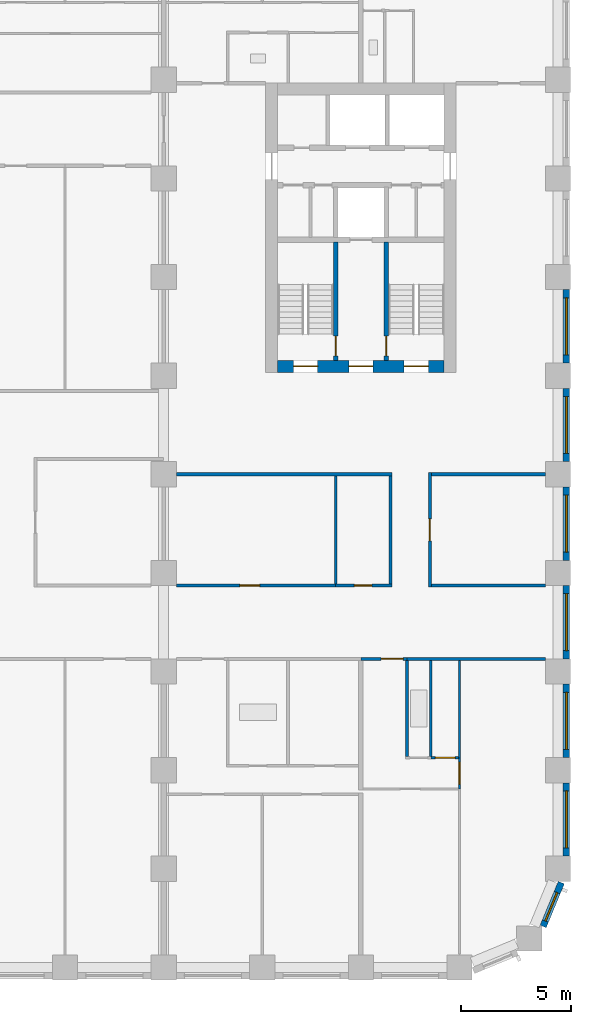
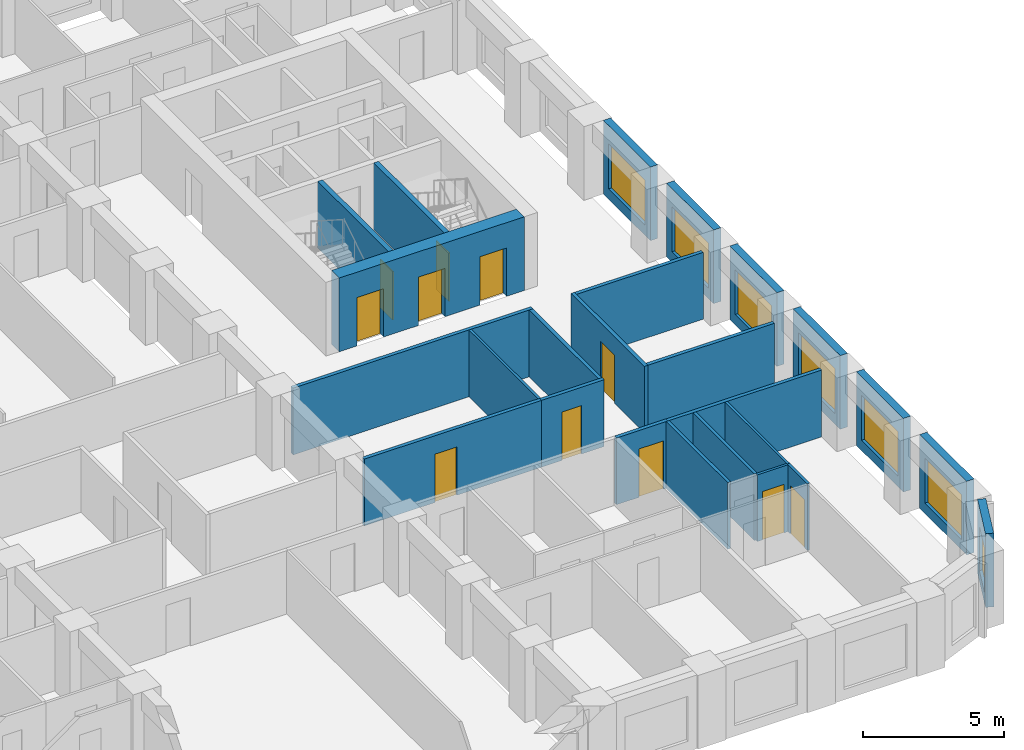
# One storey, part 5 of 13: 25 walls, 11 doors, 7 windows, 18 openings.
"""IFC4 building model written with IfcOpenShell, lengths in metres."""

from ifc_helpers import new_model, si_unit, direction, frame, frame_2d, origin, place, context, subcontext, project, spatial, rectangle, extrude, material, layer, layer_set, type_object, element, fill, save


model = new_model("IFC4")

# Units and contexts
model_context = context("Model", 3, precision=1e-05, world=origin(), true_north=direction((0.0, 1.0)))
body_context = subcontext(model_context, "Body", "Model", "MODEL_VIEW")
ifc_project = project(units=[si_unit("LENGTHUNIT", "METRE"), si_unit("AREAUNIT", "SQUARE_METRE"), si_unit("VOLUMEUNIT", "CUBIC_METRE"), si_unit("PLANEANGLEUNIT", "RADIAN"), si_unit("MASSUNIT", "GRAM", prefix="KILO")], contexts=[model_context])

# Site, building, storey
site_placement = place(None, origin())
site = spatial("IfcSite", under=ifc_project, at=site_placement, CompositionType="ELEMENT")
building_placement = place(site_placement, origin())
building = spatial("IfcBuilding", under=site, at=building_placement, Name="Girih Gate Residences", CompositionType="ELEMENT")
storey_placement = place(building_placement, frame((0.0, 0.0, 96.0)))
storey = spatial("IfcBuildingStorey", under=building, at=storey_placement, Name="L26", CompositionType="ELEMENT", Elevation=96.0)

# Wall
ifc_material_1 = material(Name="Gypsum board on steel studs", Category="steel")
ifc_layer_1 = layer(ifc_material_1, 0.14990234375)
ifc_layer_set_1 = layer_set([ifc_layer_1], Name="Compartment wall 150 mm")
wall_type_1 = type_object("IfcWallType", Name="Compartment wall 150 mm", PredefinedType="PARTITIONING", material=ifc_layer_set_1)
wall_1_placement = place(storey_placement, frame((42.60009765625, 14.074951171875, 0.0), z_axis=(0.0, 0.0, 1.0), x_axis=(1.0, 0.0, 0.0)))
element("IfcWall", 1, at=wall_1_placement, inside=storey, type_object=wall_type_1, Name="L26 partition", PredefinedType="PARTITIONING", context=body_context, shape_type="SweptSolid", body=[
    extrude(rectangle(XDim=6.324951171875, YDim=0.14990234375, at=frame_2d((3.16259765625, 0.0))), origin(), (0.0, 0.0, 1.0), 2.89990234375),
])

# Wall, opening, door
wall_2_placement = place(storey_placement, frame((42.60009765625, 14.074951171875, 0.0), z_axis=(0.0, 0.0, 1.0), x_axis=(-1.0, 0.0, 0.0)))
wall_2 = element("IfcWall", 2, at=wall_2_placement, inside=storey, type_object=wall_type_1, Name="L26 partition", PredefinedType="PARTITIONING", context=body_context, shape_type="SweptSolid", body=[
    extrude(rectangle(XDim=2.10009765625, YDim=0.14990234375, at=frame_2d((1.050048828125, 0.0))), origin(), (0.0, 0.0, 1.0), 2.89990234375),
])
opening_1_placement = place(wall_2_placement, frame((0.175048828125, 0.0, 0.0)))
opening_1 = element("IfcOpeningElement", 3, at=opening_1_placement, cuts=wall_2, Name="Opening A26-019", PredefinedType="OPENING", context=body_context, shape_type="SweptSolid", body=[
    extrude(rectangle(XDim=1.0, YDim=2.10009765625, at=frame_2d((0.5, 1.050048828125))), frame((0.0, 0.0849609375, 0.0), z_axis=(0.0, -1.0, 0.0), x_axis=(1.0, 0.0, 0.0)), (0.0, 0.0, 1.0), 0.169921875),
])
ifc_material_2 = material(Name="Timber, fire-rated core", Category="wood")
door_type_1 = type_object("IfcDoorType", Name="Flat entrance door 1000x2100 FD30S", OperationType="NOTDEFINED", PredefinedType="DOOR", material=ifc_material_2)
door_1_placement = place(opening_1_placement, origin())
door_1 = element("IfcDoor", 4, at=door_1_placement, inside=storey, type_object=door_type_1, Name="Door A26-019", OperationType="SINGLE_SWING_LEFT", OverallHeight=2.10009765625, OverallWidth=1.0, PredefinedType="DOOR", context=body_context, shape_type="SweptSolid", body=[
    extrude(rectangle(XDim=1.0, YDim=2.10009765625, at=frame_2d((0.5, 1.050048828125))), frame((0.0, 0.02490234375, 0.0), z_axis=(0.0, -1.0, 0.0), x_axis=(1.0, 0.0, 0.0)), (0.0, 0.0, 1.0), 0.050048828125),
])
fill(opening_1, door_1)

wall_3_placement = place(storey_placement, frame((32.074951171875, 17.425048828125, 0.0), z_axis=(0.0, 0.0, 1.0), x_axis=(1.0, 0.0, 0.0)))
wall_3 = element("IfcWall", 5, at=wall_3_placement, inside=storey, type_object=wall_type_1, Name="L26 partition", PredefinedType="PARTITIONING", context=body_context, shape_type="SweptSolid", body=[
    extrude(rectangle(XDim=7.275146484375, YDim=0.14990234375, at=frame_2d((3.6376953125, 0.0))), origin(), (0.0, 0.0, 1.0), 2.89990234375),
])
opening_2_placement = place(wall_3_placement, frame((2.89990234375, 0.0, 0.0)))
opening_2 = element("IfcOpeningElement", 6, at=opening_2_placement, cuts=wall_3, Name="Opening A26-050", PredefinedType="OPENING", context=body_context, shape_type="SweptSolid", body=[
    extrude(rectangle(XDim=0.89990234375, YDim=2.10009765625, at=frame_2d((0.449951171875, 1.050048828125))), frame((0.0, 0.0849609375, 0.0), z_axis=(0.0, -1.0, 0.0), x_axis=(1.0, 0.0, 0.0)), (0.0, 0.0, 1.0), 0.169921875),
])
ifc_material_3 = material(Name="Timber", Category="wood")
door_type_2 = type_object("IfcDoorType", Name="Service room door 900x2100", OperationType="NOTDEFINED", PredefinedType="DOOR", material=ifc_material_3)
door_2_placement = place(opening_2_placement, origin())
door_2 = element("IfcDoor", 7, at=door_2_placement, inside=storey, type_object=door_type_2, Name="Door A26-050", OperationType="SINGLE_SWING_LEFT", OverallHeight=2.10009765625, OverallWidth=0.89990234375, PredefinedType="DOOR", context=body_context, shape_type="SweptSolid", body=[
    extrude(rectangle(XDim=0.89990234375, YDim=2.10009765625, at=frame_2d((0.449951171875, 1.050048828125))), frame((0.0, 0.02490234375, 0.0), z_axis=(0.0, -1.0, 0.0), x_axis=(1.0, 0.0, 0.0)), (0.0, 0.0, 1.0), 0.050048828125),
])
fill(opening_2, door_2)

wall_4_placement = place(storey_placement, frame((39.35009765625, 17.425048828125, 0.0), z_axis=(0.0, 0.0, 1.0), x_axis=(1.0, 0.0, 0.0)))
wall_4 = element("IfcWall", 8, at=wall_4_placement, inside=storey, type_object=wall_type_1, Name="L26 partition", PredefinedType="PARTITIONING", context=body_context, shape_type="SweptSolid", body=[
    extrude(rectangle(XDim=2.574951171875, YDim=0.14990234375, at=frame_2d((1.28759765625, 0.0))), origin(), (0.0, 0.0, 1.0), 2.89990234375),
])
opening_3_placement = place(wall_4_placement, frame((0.85009765625, 0.0, 0.0)))
opening_3 = element("IfcOpeningElement", 9, at=opening_3_placement, cuts=wall_4, Name="Opening A26-052", PredefinedType="OPENING", context=body_context, shape_type="SweptSolid", body=[
    extrude(rectangle(XDim=0.800048828125, YDim=2.10009765625, at=frame_2d((0.39990234375, 1.050048828125))), frame((0.0, 0.0849609375, 0.0), z_axis=(0.0, -1.0, 0.0), x_axis=(1.0, 0.0, 0.0)), (0.0, 0.0, 1.0), 0.169921875),
])
door_type_3 = type_object("IfcDoorType", Name="Bathroom door 800x2100", OperationType="NOTDEFINED", PredefinedType="DOOR", material=ifc_material_3)
door_3_placement = place(opening_3_placement, origin())
door_3 = element("IfcDoor", 10, at=door_3_placement, inside=storey, type_object=door_type_3, Name="Door A26-052", OperationType="SINGLE_SWING_LEFT", OverallHeight=2.10009765625, OverallWidth=0.800048828125, PredefinedType="DOOR", context=body_context, shape_type="SweptSolid", body=[
    extrude(rectangle(XDim=0.800048828125, YDim=2.10009765625, at=frame_2d((0.39990234375, 1.050048828125))), frame((0.0, 0.02490234375, 0.0), z_axis=(0.0, -1.0, 0.0), x_axis=(1.0, 0.0, 0.0)), (0.0, 0.0, 1.0), 0.050048828125),
])
fill(opening_3, door_3)

# Walls
wall_5_placement = place(storey_placement, frame((43.72509765625, 17.425048828125, 0.0), z_axis=(0.0, 0.0, 1.0), x_axis=(1.0, 0.0, 0.0)))
element("IfcWall", 11, at=wall_5_placement, inside=storey, type_object=wall_type_1, Name="L26 partition", PredefinedType="PARTITIONING", context=body_context, shape_type="SweptSolid", body=[
    extrude(rectangle(XDim=5.199951171875, YDim=0.14990234375, at=frame_2d((2.60009765625, 0.0))), origin(), (0.0, 0.0, 1.0), 2.89990234375),
])
wall_6_placement = place(storey_placement, frame((32.074951171875, 22.5, 0.0), z_axis=(0.0, 0.0, 1.0), x_axis=(1.0, 0.0, 0.0)))
element("IfcWall", 12, at=wall_6_placement, inside=storey, type_object=wall_type_1, Name="L26 partition", PredefinedType="PARTITIONING", context=body_context, shape_type="SweptSolid", body=[
    extrude(rectangle(XDim=9.85009765625, YDim=0.14990234375, at=frame_2d((4.925048828125, 0.0))), origin(), (0.0, 0.0, 1.0), 2.89990234375),
])
wall_7_placement = place(storey_placement, frame((43.72509765625, 22.5, 0.0), z_axis=(0.0, 0.0, 1.0), x_axis=(1.0, 0.0, 0.0)))
element("IfcWall", 13, at=wall_7_placement, inside=storey, type_object=wall_type_1, Name="L26 partition", PredefinedType="PARTITIONING", context=body_context, shape_type="SweptSolid", body=[
    extrude(rectangle(XDim=5.199951171875, YDim=0.14990234375, at=frame_2d((2.60009765625, 0.0))), origin(), (0.0, 0.0, 1.0), 2.89990234375),
])
wall_8_placement = place(storey_placement, frame((41.85009765625, 17.5, 0.0), z_axis=(0.0, 0.0, 1.0), x_axis=(0.0, 1.0, 0.0)))
element("IfcWall", 14, at=wall_8_placement, inside=storey, type_object=wall_type_1, Name="L26 partition", PredefinedType="PARTITIONING", context=body_context, shape_type="SweptSolid", body=[
    extrude(rectangle(XDim=4.925048828125, YDim=0.14990234375, at=frame_2d((2.46240234375, 0.0))), origin(), (0.0, 0.0, 1.0), 2.89990234375),
])

# Wall, opening, door
wall_9_placement = place(storey_placement, frame((43.64990234375, 22.574951171875, 0.0), z_axis=(0.0, 0.0, 1.0), x_axis=(0.0, -1.0, 0.0)))
wall_9 = element("IfcWall", 15, at=wall_9_placement, inside=storey, type_object=wall_type_1, Name="L26 partition", PredefinedType="PARTITIONING", context=body_context, shape_type="SweptSolid", body=[
    extrude(rectangle(XDim=5.224853515625, YDim=0.14990234375, at=frame_2d((2.6123046875, 0.0))), origin(), (0.0, 0.0, 1.0), 2.89990234375),
])
opening_4_placement = place(wall_9_placement, frame((2.112548828125, 0.0, 0.0)))
opening_4 = element("IfcOpeningElement", 16, at=opening_4_placement, cuts=wall_9, Name="Opening A26-054", PredefinedType="OPENING", context=body_context, shape_type="SweptSolid", body=[
    extrude(rectangle(XDim=1.0, YDim=2.10009765625, at=frame_2d((0.5, 1.050048828125))), frame((0.0, 0.0849609375, 0.0), z_axis=(0.0, -1.0, 0.0), x_axis=(1.0, 0.0, 0.0)), (0.0, 0.0, 1.0), 0.169921875),
])
door_type_4 = type_object("IfcDoorType", Name="Amenity room door 1000x2100 FD30S", OperationType="NOTDEFINED", PredefinedType="DOOR", material=ifc_material_2)
door_4_placement = place(opening_4_placement, origin())
door_4 = element("IfcDoor", 17, at=door_4_placement, inside=storey, type_object=door_type_4, Name="Door A26-054", OperationType="SINGLE_SWING_RIGHT", OverallHeight=2.10009765625, OverallWidth=1.0, PredefinedType="DOOR", context=body_context, shape_type="SweptSolid", body=[
    extrude(rectangle(XDim=1.0, YDim=2.10009765625, at=frame_2d((0.5, 1.050048828125))), frame((0.0, 0.02490234375, 0.0), z_axis=(0.0, -1.0, 0.0), x_axis=(1.0, 0.0, 0.0)), (0.0, 0.0, 1.0), 0.050048828125),
])
fill(opening_4, door_4)

# Wall, openings, doors
ifc_material_4 = material(Name="Concrete C60/75", Category="concrete")
ifc_layer_2 = layer(ifc_material_4, 0.550048828125)
ifc_layer_set_2 = layer_set([ifc_layer_2], Name="Core wall RC 550 Concrete C60/75")
wall_type_2 = type_object("IfcWallType", Name="Core wall RC 550 Concrete C60/75", PredefinedType="SOLIDWALL", material=ifc_layer_set_2)
wall_10_placement = place(storey_placement, frame((36.699951171875, 27.425048828125, 0.0), z_axis=(0.0, 0.0, 1.0), x_axis=(1.0, 0.0, 0.0)))
wall_10 = element("IfcWall", 18, at=wall_10_placement, inside=storey, type_object=wall_type_2, Name="Core wall E-S L26", PredefinedType="SOLIDWALL", context=body_context, shape_type="SweptSolid", body=[
    extrude(rectangle(XDim=7.60009765625, YDim=0.550048828125, at=frame_2d((3.800048828125, 0.0))), origin(), (0.0, 0.0, 1.0), 3.199951171875),
])
opening_5_placement = place(wall_10_placement, frame((5.77490234375, 0.0, 0.0)))
opening_5 = element("IfcOpeningElement", 19, at=opening_5_placement, cuts=wall_10, Name="Opening D-L26-E-011", PredefinedType="OPENING", context=body_context, shape_type="SweptSolid", body=[
    extrude(rectangle(XDim=1.10009765625, YDim=2.10009765625, at=frame_2d((0.550048828125, 1.050048828125))), frame((0.0, 0.284912109375, 0.0), z_axis=(0.0, -1.0, 0.0), x_axis=(1.0, 0.0, 0.0)), (0.0, 0.0, 1.0), 0.570068359375),
])
opening_6_placement = place(wall_10_placement, frame((3.25, 0.0, 0.0)))
opening_6 = element("IfcOpeningElement", 20, at=opening_6_placement, cuts=wall_10, Name="Opening D-L26-E-012", PredefinedType="OPENING", context=body_context, shape_type="SweptSolid", body=[
    extrude(rectangle(XDim=1.10009765625, YDim=2.10009765625, at=frame_2d((0.550048828125, 1.050048828125))), frame((0.0, 0.284912109375, 0.0), z_axis=(0.0, -1.0, 0.0), x_axis=(1.0, 0.0, 0.0)), (0.0, 0.0, 1.0), 0.570068359375),
])
opening_7_placement = place(wall_10_placement, frame((0.72509765625, 0.0, 0.0)))
opening_7 = element("IfcOpeningElement", 21, at=opening_7_placement, cuts=wall_10, Name="Opening D-L26-E-013", PredefinedType="OPENING", context=body_context, shape_type="SweptSolid", body=[
    extrude(rectangle(XDim=1.10009765625, YDim=2.10009765625, at=frame_2d((0.550048828125, 1.050048828125))), frame((0.0, 0.284912109375, 0.0), z_axis=(0.0, -1.0, 0.0), x_axis=(1.0, 0.0, 0.0)), (0.0, 0.0, 1.0), 0.570068359375),
])
ifc_material_5 = material(Name="Painted steel, fire-resisting", Category="steel")
door_type_5 = type_object("IfcDoorType", Name="Fire door 1100x2100", OperationType="SINGLE_SWING_LEFT", PredefinedType="DOOR", material=ifc_material_5)
door_5_placement = place(opening_5_placement, origin())
door_5 = element("IfcDoor", 22, at=door_5_placement, inside=storey, type_object=door_type_5, Name="L26 E core door sta-out", OperationType="SINGLE_SWING_LEFT", OverallHeight=2.10009765625, OverallWidth=1.10009765625, PredefinedType="DOOR", context=body_context, shape_type="SweptSolid", body=[
    extrude(rectangle(XDim=1.10009765625, YDim=2.10009765625, at=frame_2d((0.550048828125, 1.050048828125))), frame((0.0, 0.02490234375, 0.0), z_axis=(0.0, -1.0, 0.0), x_axis=(1.0, 0.0, 0.0)), (0.0, 0.0, 1.0), 0.050048828125),
])
fill(opening_5, door_5)
door_6_placement = place(opening_6_placement, origin())
door_6 = element("IfcDoor", 23, at=door_6_placement, inside=storey, type_object=door_type_5, Name="L26 E core door ffl-out", OperationType="SINGLE_SWING_LEFT", OverallHeight=2.10009765625, OverallWidth=1.10009765625, PredefinedType="DOOR", context=body_context, shape_type="SweptSolid", body=[
    extrude(rectangle(XDim=1.10009765625, YDim=2.10009765625, at=frame_2d((0.550048828125, 1.050048828125))), frame((0.0, 0.02490234375, 0.0), z_axis=(0.0, -1.0, 0.0), x_axis=(1.0, 0.0, 0.0)), (0.0, 0.0, 1.0), 0.050048828125),
])
fill(opening_6, door_6)
door_7_placement = place(opening_7_placement, origin())
door_7 = element("IfcDoor", 24, at=door_7_placement, inside=storey, type_object=door_type_5, Name="L26 E core door stb-out", OperationType="SINGLE_SWING_LEFT", OverallHeight=2.10009765625, OverallWidth=1.10009765625, PredefinedType="DOOR", context=body_context, shape_type="SweptSolid", body=[
    extrude(rectangle(XDim=1.10009765625, YDim=2.10009765625, at=frame_2d((0.550048828125, 1.050048828125))), frame((0.0, 0.02490234375, 0.0), z_axis=(0.0, -1.0, 0.0), x_axis=(1.0, 0.0, 0.0)), (0.0, 0.0, 1.0), 0.050048828125),
])
fill(opening_7, door_7)

# Wall, opening, door
ifc_layer_3 = layer(ifc_material_1, 0.10009765625)
ifc_layer_set_3 = layer_set([ifc_layer_3], Name="Partition 100 mm")
wall_type_3 = type_object("IfcWallType", Name="Partition 100 mm", PredefinedType="PARTITIONING", material=ifc_layer_set_3)
wall_11_placement = place(storey_placement, frame((43.69091796875, 9.56494140625, 0.0), z_axis=(0.0, 0.0, 1.0), x_axis=(1.0, 0.0, 0.0)))
wall_11 = element("IfcWall", 25, at=wall_11_placement, inside=storey, type_object=wall_type_3, Name="L26 partition", PredefinedType="PARTITIONING", context=body_context, shape_type="SweptSolid", body=[
    extrude(rectangle(XDim=1.259033203125, YDim=0.10009765625, at=frame_2d((0.62939453125, 0.0))), origin(), (0.0, 0.0, 1.0), 2.89990234375),
])
opening_8_placement = place(wall_11_placement, frame((0.20458984375, 0.0, 0.0)))
opening_8 = element("IfcOpeningElement", 26, at=opening_8_placement, cuts=wall_11, Name="Opening A26-017", PredefinedType="OPENING", context=body_context, shape_type="SweptSolid", body=[
    extrude(rectangle(XDim=0.89990234375, YDim=2.10009765625, at=frame_2d((0.449951171875, 1.050048828125))), frame((0.0, 0.06005859375, 0.0), z_axis=(0.0, -1.0, 0.0), x_axis=(1.0, 0.0, 0.0)), (0.0, 0.0, 1.0), 0.1201171875),
])
door_type_6 = type_object("IfcDoorType", Name="Kitchen door 900x2100", OperationType="NOTDEFINED", PredefinedType="DOOR", material=ifc_material_3)
door_8_placement = place(opening_8_placement, origin())
door_8 = element("IfcDoor", 27, at=door_8_placement, inside=storey, type_object=door_type_6, Name="Door A26-017", OperationType="SINGLE_SWING_RIGHT", OverallHeight=2.10009765625, OverallWidth=0.89990234375, PredefinedType="DOOR", context=body_context, shape_type="SweptSolid", body=[
    extrude(rectangle(XDim=0.89990234375, YDim=2.10009765625, at=frame_2d((0.449951171875, 1.050048828125))), frame((0.0, 0.02490234375, 0.0), z_axis=(0.0, -1.0, 0.0), x_axis=(1.0, 0.0, 0.0)), (0.0, 0.0, 1.0), 0.050048828125),
])
fill(opening_8, door_8)

wall_12_placement = place(storey_placement, frame((45.0, 9.56494140625, 0.0), z_axis=(0.0, 0.0, 1.0), x_axis=(0.0, -1.0, 0.0)))
wall_12 = element("IfcWall", 28, at=wall_12_placement, inside=storey, type_object=wall_type_3, Name="L26 partition", PredefinedType="PARTITIONING", context=body_context, shape_type="SweptSolid", body=[
    extrude(rectangle(XDim=1.419921875, YDim=0.10009765625, at=frame_2d((0.7099609375, 0.0))), origin(), (0.0, 0.0, 1.0), 2.89990234375),
])
opening_9_placement = place(wall_12_placement, frame((0.2099609375, 0.0, 0.0)))
opening_9 = element("IfcOpeningElement", 29, at=opening_9_placement, cuts=wall_12, Name="Opening A26-018", PredefinedType="OPENING", context=body_context, shape_type="SweptSolid", body=[
    extrude(rectangle(XDim=1.0, YDim=2.10009765625, at=frame_2d((0.5, 1.050048828125))), frame((0.0, 0.06005859375, 0.0), z_axis=(0.0, -1.0, 0.0), x_axis=(1.0, 0.0, 0.0)), (0.0, 0.0, 1.0), 0.1201171875),
])
door_type_7 = type_object("IfcDoorType", Name="Living room door 1000x2100", OperationType="NOTDEFINED", PredefinedType="DOOR", material=ifc_material_3)
door_9_placement = place(opening_9_placement, origin())
door_9 = element("IfcDoor", 30, at=door_9_placement, inside=storey, type_object=door_type_7, Name="Door A26-018", OperationType="SINGLE_SWING_LEFT", OverallHeight=2.10009765625, OverallWidth=1.0, PredefinedType="DOOR", context=body_context, shape_type="SweptSolid", body=[
    extrude(rectangle(XDim=1.0, YDim=2.10009765625, at=frame_2d((0.5, 1.050048828125))), frame((0.0, 0.02490234375, 0.0), z_axis=(0.0, -1.0, 0.0), x_axis=(1.0, 0.0, 0.0)), (0.0, 0.0, 1.0), 0.050048828125),
])
fill(opening_9, door_9)

# Walls
wall_13_placement = place(storey_placement, frame((45.0, 9.56494140625, 0.0), z_axis=(0.0, 0.0, 1.0), x_axis=(0.0, 1.0, 0.0)))
element("IfcWall", 31, at=wall_13_placement, inside=storey, type_object=wall_type_3, Name="L26 partition", PredefinedType="PARTITIONING", context=body_context, shape_type="SweptSolid", body=[
    extrude(rectangle(XDim=4.43505859375, YDim=0.10009765625, at=frame_2d((2.217529296875, 0.0))), origin(), (0.0, 0.0, 1.0), 2.89990234375),
])
wall_14_placement = place(storey_placement, frame((39.35009765625, 17.5, 0.0), z_axis=(0.0, 0.0, 1.0), x_axis=(0.0, 1.0, 0.0)))
element("IfcWall", 32, at=wall_14_placement, inside=storey, type_object=wall_type_3, Name="L26 partition", PredefinedType="PARTITIONING", context=body_context, shape_type="SweptSolid", body=[
    extrude(rectangle(XDim=4.925048828125, YDim=0.10009765625, at=frame_2d((2.46240234375, 0.0))), origin(), (0.0, 0.0, 1.0), 2.89990234375),
])

# Wall, opening, window
ifc_material_6 = material(Name="Precast concrete C50/60", Category="concrete")
ifc_layer_4 = layer(ifc_material_6, 0.080078125, Name="Outer leaf")
ifc_material_7 = material(Name="Rigid PIR insulation")
ifc_layer_5 = layer(ifc_material_7, 0.14990234375, Name="Insulation")
ifc_material_8 = material(Name="Precast concrete C40/50", Category="concrete")
ifc_layer_6 = layer(ifc_material_8, 0.070068359375, Name="Inner leaf")
ifc_layer_set_4 = layer_set([ifc_layer_4, ifc_layer_5, ifc_layer_6], Name="Precast concrete C50/60 external wall 300")
wall_type_4 = type_object("IfcWallType", Name="Precast concrete C50/60 external wall 300", PredefinedType="SOLIDWALL", material=ifc_layer_set_4)
wall_15_placement = place(storey_placement, frame((49.64404296875, 3.86767578125, 0.0), z_axis=(0.0, 0.0, 1.0), x_axis=(-0.382723818695, -0.923862802911, 0.0)))
wall_15 = element("IfcWall", 33, at=wall_15_placement, inside=storey, type_object=wall_type_4, Name="External wall SE0482_0013.0", PredefinedType="SOLIDWALL", context=body_context, shape_type="SweptSolid", body=[
    extrude(rectangle(XDim=2.163818359375, YDim=0.300048828125, at=frame_2d((1.08203125, 0.0))), origin(), (0.0, 0.0, 1.0), 3.199951171875),
])
opening_10_placement = place(wall_15_placement, frame((0.492919921875, 0.0, 0.449951171875)))
opening_10 = element("IfcOpeningElement", 34, at=opening_10_placement, cuts=wall_15, Name="Opening W-2D", PredefinedType="OPENING", context=body_context, shape_type="SweptSolid", body=[
    extrude(rectangle(XDim=1.39990234375, YDim=1.949951171875, at=frame_2d((0.699951171875, 0.97509765625))), frame((0.0, 0.159912109375, 0.0), z_axis=(0.0, -1.0, 0.0), x_axis=(1.0, 0.0, 0.0)), (0.0, 0.0, 1.0), 0.320068359375),
])
ifc_material_9 = material(Name="Double glazing in aluminium frame", Category="aluminium")
window_type_1 = type_object("IfcWindowType", Name="Window W-2D 1400x1950", PartitioningType="SINGLE_PANEL", PredefinedType="WINDOW", material=ifc_material_9)
window_1_placement = place(opening_10_placement, origin())
window_1 = element("IfcWindow", 35, at=window_1_placement, inside=storey, type_object=window_type_1, Name="Window W-2D SE0482_0013.0", OverallHeight=1.949951171875, OverallWidth=1.39990234375, PartitioningType="SINGLE_PANEL", PredefinedType="WINDOW", context=body_context, shape_type="SweptSolid", body=[
    extrude(rectangle(XDim=1.39990234375, YDim=1.949951171875, at=frame_2d((0.699951171875, 0.97509765625))), frame((0.0, 0.030029296875, 0.0), z_axis=(0.0, -1.0, 0.0), x_axis=(1.0, 0.0, 0.0)), (0.0, 0.0, 1.0), 0.06005859375),
])
fill(opening_10, window_1)

wall_16_placement = place(storey_placement, frame((49.875, 8.425048828125, 0.0), z_axis=(0.0, 0.0, 1.0), x_axis=(0.0, -1.0, 0.0)))
wall_16 = element("IfcWall", 36, at=wall_16_placement, inside=storey, type_object=wall_type_4, Name="External wall E0495_0045.0", PredefinedType="SOLIDWALL", context=body_context, shape_type="SweptSolid", body=[
    extrude(rectangle(XDim=3.35009765625, YDim=0.300048828125, at=frame_2d((1.675048828125, 0.0))), origin(), (0.0, 0.0, 1.0), 3.199951171875),
])
opening_11_placement = place(wall_16_placement, frame((0.375, 0.0, 0.449951171875)))
opening_11 = element("IfcOpeningElement", 37, at=opening_11_placement, cuts=wall_16, Name="Opening W-1A", PredefinedType="OPENING", context=body_context, shape_type="SweptSolid", body=[
    extrude(rectangle(XDim=2.60009765625, YDim=1.949951171875, at=frame_2d((1.300048828125, 0.97509765625))), frame((0.0, 0.159912109375, 0.0), z_axis=(0.0, -1.0, 0.0), x_axis=(1.0, 0.0, 0.0)), (0.0, 0.0, 1.0), 0.320068359375),
])
window_type_2 = type_object("IfcWindowType", Name="Window W-1A 2600x1950", PartitioningType="SINGLE_PANEL", PredefinedType="WINDOW", material=ifc_material_9)
window_2_placement = place(opening_11_placement, origin())
window_2 = element("IfcWindow", 38, at=window_2_placement, inside=storey, type_object=window_type_2, Name="Window W-1A E0495_0045.0", OverallHeight=1.949951171875, OverallWidth=2.60009765625, PartitioningType="SINGLE_PANEL", PredefinedType="WINDOW", context=body_context, shape_type="SweptSolid", body=[
    extrude(rectangle(XDim=2.60009765625, YDim=1.949951171875, at=frame_2d((1.300048828125, 0.97509765625))), frame((0.0, 0.030029296875, 0.0), z_axis=(0.0, -1.0, 0.0), x_axis=(1.0, 0.0, 0.0)), (0.0, 0.0, 1.0), 0.06005859375),
])
fill(opening_11, window_2)

wall_17_placement = place(storey_placement, frame((49.875, 12.925048828125, 0.0), z_axis=(0.0, 0.0, 1.0), x_axis=(0.0, -1.0, 0.0)))
wall_17 = element("IfcWall", 39, at=wall_17_placement, inside=storey, type_object=wall_type_4, Name="External wall E0495_0045.1", PredefinedType="SOLIDWALL", context=body_context, shape_type="SweptSolid", body=[
    extrude(rectangle(XDim=3.35009765625, YDim=0.300048828125, at=frame_2d((1.675048828125, 0.0))), origin(), (0.0, 0.0, 1.0), 3.199951171875),
])
opening_12_placement = place(wall_17_placement, frame((0.375, 0.0, 0.449951171875)))
opening_12 = element("IfcOpeningElement", 40, at=opening_12_placement, cuts=wall_17, Name="Opening W-1A", PredefinedType="OPENING", context=body_context, shape_type="SweptSolid", body=[
    extrude(rectangle(XDim=2.60009765625, YDim=1.949951171875, at=frame_2d((1.300048828125, 0.97509765625))), frame((0.0, 0.159912109375, 0.0), z_axis=(0.0, -1.0, 0.0), x_axis=(1.0, 0.0, 0.0)), (0.0, 0.0, 1.0), 0.320068359375),
])
window_3_placement = place(opening_12_placement, origin())
window_3 = element("IfcWindow", 41, at=window_3_placement, inside=storey, type_object=window_type_2, Name="Window W-1A E0495_0045.1", OverallHeight=1.949951171875, OverallWidth=2.60009765625, PartitioningType="SINGLE_PANEL", PredefinedType="WINDOW", context=body_context, shape_type="SweptSolid", body=[
    extrude(rectangle(XDim=2.60009765625, YDim=1.949951171875, at=frame_2d((1.300048828125, 0.97509765625))), frame((0.0, 0.030029296875, 0.0), z_axis=(0.0, -1.0, 0.0), x_axis=(1.0, 0.0, 0.0)), (0.0, 0.0, 1.0), 0.06005859375),
])
fill(opening_12, window_3)

wall_18_placement = place(storey_placement, frame((49.875, 17.425048828125, 0.0), z_axis=(0.0, 0.0, 1.0), x_axis=(0.0, -1.0, 0.0)))
wall_18 = element("IfcWall", 42, at=wall_18_placement, inside=storey, type_object=wall_type_4, Name="External wall E0495_0045.2", PredefinedType="SOLIDWALL", context=body_context, shape_type="SweptSolid", body=[
    extrude(rectangle(XDim=3.35009765625, YDim=0.300048828125, at=frame_2d((1.675048828125, 0.0))), origin(), (0.0, 0.0, 1.0), 3.199951171875),
])
opening_13_placement = place(wall_18_placement, frame((0.375, 0.0, 0.449951171875)))
opening_13 = element("IfcOpeningElement", 43, at=opening_13_placement, cuts=wall_18, Name="Opening W-1A", PredefinedType="OPENING", context=body_context, shape_type="SweptSolid", body=[
    extrude(rectangle(XDim=2.60009765625, YDim=1.949951171875, at=frame_2d((1.300048828125, 0.97509765625))), frame((0.0, 0.159912109375, 0.0), z_axis=(0.0, -1.0, 0.0), x_axis=(1.0, 0.0, 0.0)), (0.0, 0.0, 1.0), 0.320068359375),
])
window_4_placement = place(opening_13_placement, origin())
window_4 = element("IfcWindow", 44, at=window_4_placement, inside=storey, type_object=window_type_2, Name="Window W-1A E0495_0045.2", OverallHeight=1.949951171875, OverallWidth=2.60009765625, PartitioningType="SINGLE_PANEL", PredefinedType="WINDOW", context=body_context, shape_type="SweptSolid", body=[
    extrude(rectangle(XDim=2.60009765625, YDim=1.949951171875, at=frame_2d((1.300048828125, 0.97509765625))), frame((0.0, 0.030029296875, 0.0), z_axis=(0.0, -1.0, 0.0), x_axis=(1.0, 0.0, 0.0)), (0.0, 0.0, 1.0), 0.06005859375),
])
fill(opening_13, window_4)

wall_19_placement = place(storey_placement, frame((49.875, 21.925048828125, 0.0), z_axis=(0.0, 0.0, 1.0), x_axis=(0.0, -1.0, 0.0)))
wall_19 = element("IfcWall", 45, at=wall_19_placement, inside=storey, type_object=wall_type_4, Name="External wall E0495_0045.3", PredefinedType="SOLIDWALL", context=body_context, shape_type="SweptSolid", body=[
    extrude(rectangle(XDim=3.35009765625, YDim=0.300048828125, at=frame_2d((1.675048828125, 0.0))), origin(), (0.0, 0.0, 1.0), 3.199951171875),
])
opening_14_placement = place(wall_19_placement, frame((0.375, 0.0, 0.449951171875)))
opening_14 = element("IfcOpeningElement", 46, at=opening_14_placement, cuts=wall_19, Name="Opening W-1A", PredefinedType="OPENING", context=body_context, shape_type="SweptSolid", body=[
    extrude(rectangle(XDim=2.60009765625, YDim=1.949951171875, at=frame_2d((1.300048828125, 0.97509765625))), frame((0.0, 0.159912109375, 0.0), z_axis=(0.0, -1.0, 0.0), x_axis=(1.0, 0.0, 0.0)), (0.0, 0.0, 1.0), 0.320068359375),
])
window_5_placement = place(opening_14_placement, origin())
window_5 = element("IfcWindow", 47, at=window_5_placement, inside=storey, type_object=window_type_2, Name="Window W-1A E0495_0045.3", OverallHeight=1.949951171875, OverallWidth=2.60009765625, PartitioningType="SINGLE_PANEL", PredefinedType="WINDOW", context=body_context, shape_type="SweptSolid", body=[
    extrude(rectangle(XDim=2.60009765625, YDim=1.949951171875, at=frame_2d((1.300048828125, 0.97509765625))), frame((0.0, 0.030029296875, 0.0), z_axis=(0.0, -1.0, 0.0), x_axis=(1.0, 0.0, 0.0)), (0.0, 0.0, 1.0), 0.06005859375),
])
fill(opening_14, window_5)

wall_20_placement = place(storey_placement, frame((49.875, 26.425048828125, 0.0), z_axis=(0.0, 0.0, 1.0), x_axis=(0.0, -1.0, 0.0)))
wall_20 = element("IfcWall", 48, at=wall_20_placement, inside=storey, type_object=wall_type_4, Name="External wall E0495_0045.4", PredefinedType="SOLIDWALL", context=body_context, shape_type="SweptSolid", body=[
    extrude(rectangle(XDim=3.35009765625, YDim=0.300048828125, at=frame_2d((1.675048828125, 0.0))), origin(), (0.0, 0.0, 1.0), 3.199951171875),
])
opening_15_placement = place(wall_20_placement, frame((0.375, 0.0, 0.449951171875)))
opening_15 = element("IfcOpeningElement", 49, at=opening_15_placement, cuts=wall_20, Name="Opening W-1A", PredefinedType="OPENING", context=body_context, shape_type="SweptSolid", body=[
    extrude(rectangle(XDim=2.60009765625, YDim=1.949951171875, at=frame_2d((1.300048828125, 0.97509765625))), frame((0.0, 0.159912109375, 0.0), z_axis=(0.0, -1.0, 0.0), x_axis=(1.0, 0.0, 0.0)), (0.0, 0.0, 1.0), 0.320068359375),
])
window_6_placement = place(opening_15_placement, origin())
window_6 = element("IfcWindow", 50, at=window_6_placement, inside=storey, type_object=window_type_2, Name="Window W-1A E0495_0045.4", OverallHeight=1.949951171875, OverallWidth=2.60009765625, PartitioningType="SINGLE_PANEL", PredefinedType="WINDOW", context=body_context, shape_type="SweptSolid", body=[
    extrude(rectangle(XDim=2.60009765625, YDim=1.949951171875, at=frame_2d((1.300048828125, 0.97509765625))), frame((0.0, 0.030029296875, 0.0), z_axis=(0.0, -1.0, 0.0), x_axis=(1.0, 0.0, 0.0)), (0.0, 0.0, 1.0), 0.06005859375),
])
fill(opening_15, window_6)

wall_21_placement = place(storey_placement, frame((49.875, 30.925048828125, 0.0), z_axis=(0.0, 0.0, 1.0), x_axis=(0.0, -1.0, 0.0)))
wall_21 = element("IfcWall", 51, at=wall_21_placement, inside=storey, type_object=wall_type_4, Name="External wall E0495_0045.5", PredefinedType="SOLIDWALL", context=body_context, shape_type="SweptSolid", body=[
    extrude(rectangle(XDim=3.35009765625, YDim=0.300048828125, at=frame_2d((1.675048828125, 0.0))), origin(), (0.0, 0.0, 1.0), 3.199951171875),
])
opening_16_placement = place(wall_21_placement, frame((0.375, 0.0, 0.449951171875)))
opening_16 = element("IfcOpeningElement", 52, at=opening_16_placement, cuts=wall_21, Name="Opening W-1A", PredefinedType="OPENING", context=body_context, shape_type="SweptSolid", body=[
    extrude(rectangle(XDim=2.60009765625, YDim=1.949951171875, at=frame_2d((1.300048828125, 0.97509765625))), frame((0.0, 0.159912109375, 0.0), z_axis=(0.0, -1.0, 0.0), x_axis=(1.0, 0.0, 0.0)), (0.0, 0.0, 1.0), 0.320068359375),
])
window_7_placement = place(opening_16_placement, origin())
window_7 = element("IfcWindow", 53, at=window_7_placement, inside=storey, type_object=window_type_2, Name="Window W-1A E0495_0045.5", OverallHeight=1.949951171875, OverallWidth=2.60009765625, PartitioningType="SINGLE_PANEL", PredefinedType="WINDOW", context=body_context, shape_type="SweptSolid", body=[
    extrude(rectangle(XDim=2.60009765625, YDim=1.949951171875, at=frame_2d((1.300048828125, 0.97509765625))), frame((0.0, 0.030029296875, 0.0), z_axis=(0.0, -1.0, 0.0), x_axis=(1.0, 0.0, 0.0)), (0.0, 0.0, 1.0), 0.06005859375),
])
fill(opening_16, window_7)

# Wall, opening, door
ifc_material_10 = material(Name="Concrete C40/50", Category="concrete")
ifc_layer_7 = layer(ifc_material_10, 0.199951171875)
ifc_layer_set_5 = layer_set([ifc_layer_7], Name="Shaft wall 200")
wall_type_5 = type_object("IfcWallType", Name="Shaft wall 200", PredefinedType="SOLIDWALL", material=ifc_layer_set_5)
wall_22_placement = place(storey_placement, frame((41.64990234375, 27.699951171875, 0.0), z_axis=(0.0, 0.0, 1.0), x_axis=(0.0, 1.0, 0.0)))
wall_22 = element("IfcWall", 54, at=wall_22_placement, inside=storey, type_object=wall_type_5, Name="L26 E core wall V1a", PredefinedType="SOLIDWALL", context=body_context, shape_type="SweptSolid", body=[
    extrude(rectangle(XDim=5.400146484375, YDim=0.199951171875, at=frame_2d((2.7001953125, 0.0))), origin(), (0.0, 0.0, 1.0), 2.89990234375),
])
opening_17_placement = place(wall_22_placement, frame((0.199951171875, 0.0, 0.0)))
opening_17 = element("IfcOpeningElement", 55, at=opening_17_placement, cuts=wall_22, Name="Opening D-L26-E-001", PredefinedType="OPENING", context=body_context, shape_type="SweptSolid", body=[
    extrude(rectangle(XDim=0.89990234375, YDim=2.10009765625, at=frame_2d((0.449951171875, 1.050048828125))), frame((0.0, 0.10986328125, 0.0), z_axis=(0.0, -1.0, 0.0), x_axis=(1.0, 0.0, 0.0)), (0.0, 0.0, 1.0), 0.219970703125),
])
door_type_8 = type_object("IfcDoorType", Name="Fire door 900x2100", OperationType="SINGLE_SWING_LEFT", PredefinedType="DOOR", material=ifc_material_5)
door_10_placement = place(opening_17_placement, origin())
door_10 = element("IfcDoor", 56, at=door_10_placement, inside=storey, type_object=door_type_8, Name="L26 E door stair 1 to firefighting lobby", OperationType="SINGLE_SWING_LEFT", OverallHeight=2.10009765625, OverallWidth=0.89990234375, PredefinedType="DOOR", context=body_context, shape_type="SweptSolid", body=[
    extrude(rectangle(XDim=0.89990234375, YDim=2.10009765625, at=frame_2d((0.449951171875, 1.050048828125))), frame((0.0, 0.02490234375, 0.0), z_axis=(0.0, -1.0, 0.0), x_axis=(1.0, 0.0, 0.0)), (0.0, 0.0, 1.0), 0.050048828125),
])
fill(opening_17, door_10)

wall_23_placement = place(storey_placement, frame((39.35009765625, 27.699951171875, 0.0), z_axis=(0.0, 0.0, 1.0), x_axis=(0.0, 1.0, 0.0)))
wall_23 = element("IfcWall", 57, at=wall_23_placement, inside=storey, type_object=wall_type_5, Name="L26 E core wall V2a", PredefinedType="SOLIDWALL", context=body_context, shape_type="SweptSolid", body=[
    extrude(rectangle(XDim=5.400146484375, YDim=0.199951171875, at=frame_2d((2.7001953125, 0.0))), origin(), (0.0, 0.0, 1.0), 2.89990234375),
])
opening_18_placement = place(wall_23_placement, frame((0.199951171875, 0.0, 0.0)))
opening_18 = element("IfcOpeningElement", 58, at=opening_18_placement, cuts=wall_23, Name="Opening D-L26-E-002", PredefinedType="OPENING", context=body_context, shape_type="SweptSolid", body=[
    extrude(rectangle(XDim=0.89990234375, YDim=2.10009765625, at=frame_2d((0.449951171875, 1.050048828125))), frame((0.0, 0.10986328125, 0.0), z_axis=(0.0, -1.0, 0.0), x_axis=(1.0, 0.0, 0.0)), (0.0, 0.0, 1.0), 0.219970703125),
])
door_11_placement = place(opening_18_placement, origin())
door_11 = element("IfcDoor", 59, at=door_11_placement, inside=storey, type_object=door_type_8, Name="L26 E door stair 2 to firefighting lobby", OperationType="SINGLE_SWING_LEFT", OverallHeight=2.10009765625, OverallWidth=0.89990234375, PredefinedType="DOOR", context=body_context, shape_type="SweptSolid", body=[
    extrude(rectangle(XDim=0.89990234375, YDim=2.10009765625, at=frame_2d((0.449951171875, 1.050048828125))), frame((0.0, 0.02490234375, 0.0), z_axis=(0.0, -1.0, 0.0), x_axis=(1.0, 0.0, 0.0)), (0.0, 0.0, 1.0), 0.050048828125),
])
fill(opening_18, door_11)

# Walls
ifc_layer_8 = layer(ifc_material_1, 0.125)
ifc_layer_set_6 = layer_set([ifc_layer_8], Name="Wet room wall 125 mm")
wall_type_6 = type_object("IfcWallType", Name="Wet room wall 125 mm", PredefinedType="PARTITIONING", material=ifc_layer_set_6)
for number, where, z_axis, x_axis, name in (
    (60, (42.60009765625, 9.62744140625, 0.0), (0.0, 0.0, 1.0), (0.0, 1.0, 0.0), "L26 partition"),
    (61, (43.69091796875, 9.62744140625, 0.0), (0.0, 0.0, 1.0), (0.0, 1.0, 0.0), "L26 partition"),
):
    element("IfcWall", number, at=place(storey_placement, frame(where, z_axis=z_axis, x_axis=x_axis)), inside=storey, type_object=wall_type_6, Name=name, PredefinedType="PARTITIONING", context=body_context, shape_type="SweptSolid", body=[
        extrude(rectangle(XDim=4.37255859375, YDim=0.125, at=frame_2d((2.186279296875, 0.0))), origin(), (0.0, 0.0, 1.0), 2.89990234375),
    ])

save(model, "model.ifc")
